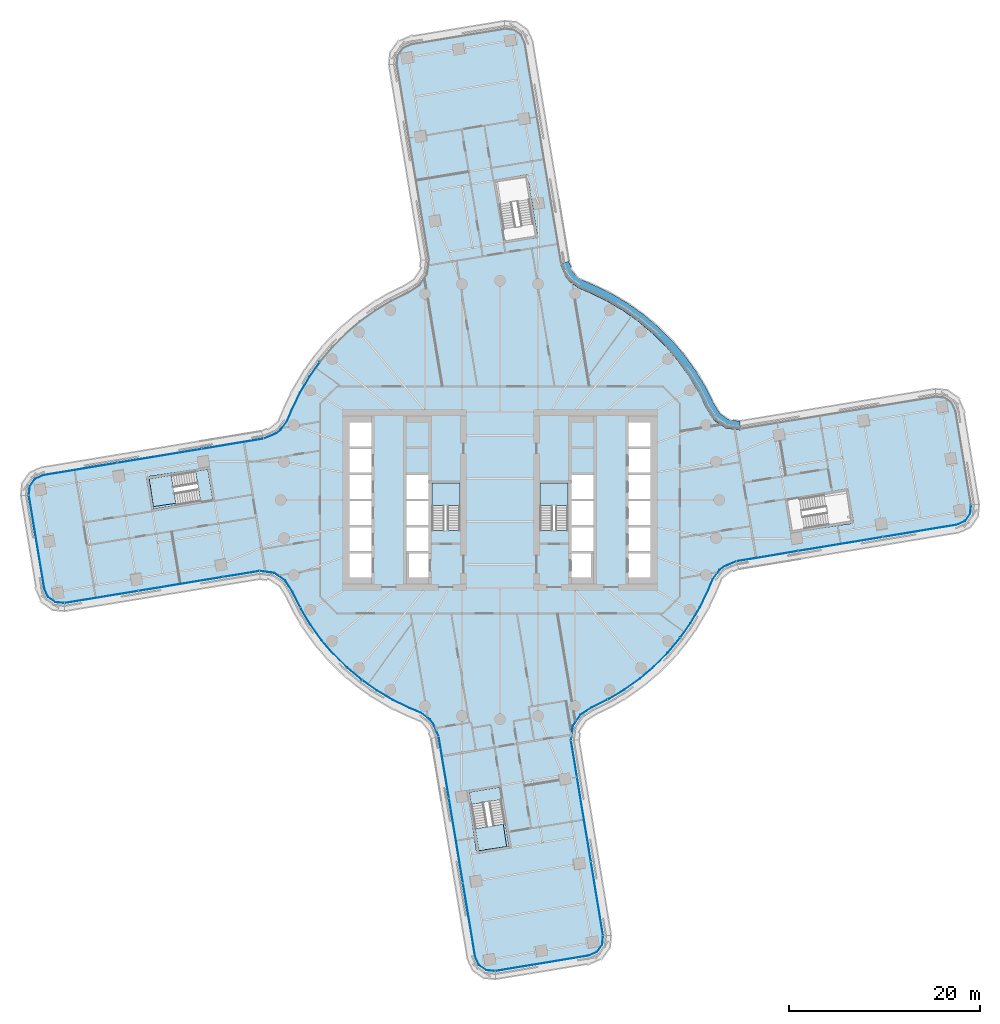
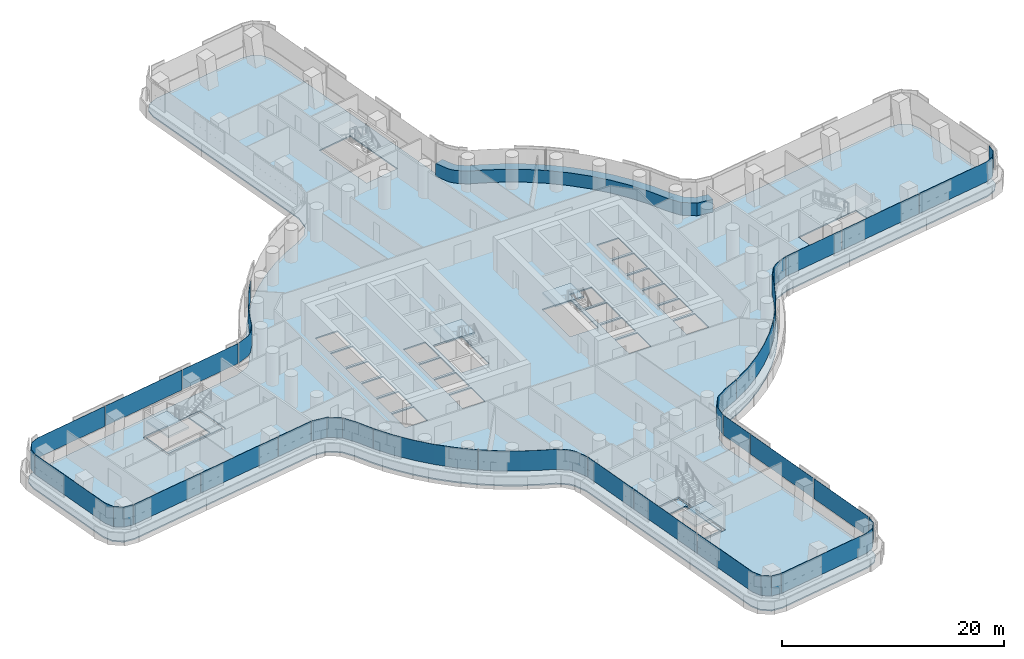
# One storey, part 18 of 32: 24 plates, 7 slabs, 1 member, 15 elements without a shape of their own.
"""IFC4 building model written with IfcOpenShell, lengths in metres."""

from ifc_helpers import new_model, si_unit, direction, frame, origin, place, context, subcontext, project, spatial, polyline, outline, extrude, material, layer, layer_set, type_object, element, aggregate, save


model = new_model("IFC4")

# Units and contexts
model_context = context("Model", 3, precision=1e-05, world=origin(), true_north=direction((0.0, 1.0)))
body_context = subcontext(model_context, "Body", "Model", "MODEL_VIEW")
ifc_project = project(units=[si_unit("LENGTHUNIT", "METRE"), si_unit("AREAUNIT", "SQUARE_METRE"), si_unit("VOLUMEUNIT", "CUBIC_METRE"), si_unit("PLANEANGLEUNIT", "RADIAN"), si_unit("MASSUNIT", "GRAM", prefix="KILO")], contexts=[model_context])

# Site, building, storey
site_placement = place(None, origin())
site = spatial("IfcSite", under=ifc_project, at=site_placement, CompositionType="ELEMENT")
building_placement = place(site_placement, origin())
building = spatial("IfcBuilding", under=site, at=building_placement, Name="Tamarind Cross Interchange Tower", CompositionType="ELEMENT")
storey_placement = place(building_placement, frame((0.0, 0.0, 67.75)))
storey = spatial("IfcBuildingStorey", under=building, at=storey_placement, Name="L15", CompositionType="ELEMENT", Elevation=67.75)

# Curtain wall, member
ifc_material_1 = material(Name="Aluminium 6063-T6", Category="aluminium")
ifc_layer_1 = layer(ifc_material_1, 0.159912109375)
ifc_layer_set_1 = layer_set([ifc_layer_1], Name="Aluminium 6063-T6")
curtain_wall_type = type_object("IfcCurtainWallType", Name="Office curtain wall, 9.0 m bays", PredefinedType="NOTDEFINED", material=ifc_layer_set_1)
curtain_wall_1_placement = place(storey_placement, origin())
curtain_wall_1 = element("IfcCurtainWall", 1, at=curtain_wall_1_placement, inside=storey, type_object=curtain_wall_type, Name="CWS-L15-14", PredefinedType="NOTDEFINED")
ifc_material_2 = material(Name="Aluminium and insulated spandrel panel", Category="aluminium")
member_type = type_object("IfcMemberType", Name="Floor-edge blade transom", PredefinedType="USERDEFINED", material=ifc_material_2)
member_placement = place(storey_placement, origin())
member = element("IfcMember", 2, at=member_placement, type_object=member_type, Name="CWT-L15-14", ObjectType="TRANSOM", PredefinedType="USERDEFINED", context=body_context, shape_type="SweptSolid", body=[
    extrude(outline(polyline([(25.204345703125, 7.347900390625), (23.6572265625, 7.553955078125), (22.442138671875, 8.3720703125), (21.67138671875, 9.586181640625), (20.791015625, 11.367431640625), (19.78125, 13.045654296875), (18.636474609375, 14.634521484375), (17.3642578125, 16.12353515625), (15.973388671875, 17.50244140625), (14.4736328125, 18.76171875), (12.874755859375, 19.892822265625), (11.188232421875, 20.88818359375), (9.420654296875, 21.74267578125), (8.26025390625, 22.23193359375), (7.275634765625, 22.95068359375), (6.907470703125, 23.40478515625), (6.3330078125, 24.766845703125), (7.20361328125, 25.0185546875), (7.68701171875, 23.872314453125), (7.901123046875, 23.608642578125), (8.706298828125, 23.0205078125), (9.791748046875, 22.56298828125), (11.613525390625, 21.68212890625), (13.3642578125, 20.64892578125), (15.023681640625, 19.474853515625), (16.580810546875, 18.167724609375), (18.0244140625, 16.736572265625), (19.344970703125, 15.19091796875), (20.533203125, 13.54150390625), (21.581298828125, 11.799560546875), (22.456787109375, 10.028076171875), (23.100830078125, 9.013427734375), (23.98486328125, 8.418212890625), (25.1904296875, 8.2578125), (25.204345703125, 7.347900390625)])), origin(), (0.0, 0.0, 1.0), 1.39990234375),
])
aggregate(curtain_wall_1, [member])

# Slabs
ifc_material_3 = material(Name="Concrete C35", Category="concrete")
ifc_layer_2 = layer(ifc_material_3, 0.139892578125)
ifc_layer_set_2 = layer_set([ifc_layer_2], Name="Concrete C35")
slab_type_1 = type_object("IfcSlabType", Name="Composite slab 140 Concrete C35", PredefinedType="FLOOR", material=ifc_layer_set_2)
slab_1_placement = place(storey_placement, frame((0.0, 0.0, -0.139892578125)))
element("IfcSlab", 3, at=slab_1_placement, inside=storey, type_object=slab_type_1, Name="Floor slab L15", PredefinedType="FLOOR", context=body_context, shape_type="SweptSolid", body=[
    extrude(outline(polyline([(7.16748046875, 23.560546875), (6.623291015625, 24.850830078125), (2.795166015625, 47.9658203125), (2.367431640625, 48.90869140625), (1.525634765625, 49.51123046875), (0.495361328125, 49.6123046875), (-9.370361328125, 47.978515625), (-10.31298828125, 47.55078125), (-10.915771484375, 46.708984375), (-11.0166015625, 45.6787109375), (-7.651123046875, 25.19970703125), (-7.842041015625, 23.766357421875), (-8.585693359375, 22.66162109375), (-9.7333984375, 21.93310546875), (-11.511474609375, 21.054443359375), (-13.2109375, 20.031982421875), (-14.820068359375, 18.87255859375), (-16.327880859375, 17.584228515625), (-17.72412109375, 16.17578125), (-18.99951171875, 14.656982421875), (-20.14501953125, 13.0380859375), (-21.15283203125, 11.329833984375), (-22.01611328125, 9.54443359375), (-22.49462890625, 8.408935546875), (-23.169921875, 7.484130859375), (-23.560546875, 7.16748046875), (-24.850830078125, 6.623291015625), (-47.9658203125, 2.795166015625), (-48.90869140625, 2.367431640625), (-49.51123046875, 1.525634765625), (-49.6123046875, 0.495361328125), (-47.978515625, -9.370361328125), (-47.55078125, -10.31298828125), (-46.708984375, -10.915771484375), (-45.6787109375, -11.0166015625), (-25.19970703125, -7.651123046875), (-23.766357421875, -7.842041015625), (-22.66162109375, -8.585693359375), (-21.93310546875, -9.7333984375), (-21.054443359375, -11.511474609375), (-20.031982421875, -13.2109375), (-18.87255859375, -14.820068359375), (-17.584228515625, -16.327880859375), (-16.17578125, -17.72412109375), (-14.656982421875, -18.99951171875), (-13.0380859375, -20.14501953125), (-11.329833984375, -21.15283203125), (-9.54443359375, -22.01611328125), (-8.408935546875, -22.49462890625), (-7.484130859375, -23.169921875), (-7.16748046875, -23.560546875), (-6.623291015625, -24.850830078125), (-2.795166015625, -47.9658203125), (-2.367431640625, -48.90869140625), (-1.525634765625, -49.51123046875), (-0.495361328125, -49.6123046875), (9.370361328125, -47.978515625), (10.31298828125, -47.55078125), (10.915771484375, -46.708984375), (11.0166015625, -45.6787109375), (7.651123046875, -25.19970703125), (7.842041015625, -23.766357421875), (8.585693359375, -22.66162109375), (9.7333984375, -21.93310546875), (11.511474609375, -21.054443359375), (13.2109375, -20.031982421875), (14.820068359375, -18.87255859375), (16.327880859375, -17.584228515625), (17.72412109375, -16.17578125), (18.99951171875, -14.656982421875), (20.14501953125, -13.0380859375), (21.15283203125, -11.329833984375), (22.01611328125, -9.54443359375), (22.49462890625, -8.408935546875), (23.169921875, -7.484130859375), (23.560546875, -7.16748046875), (24.850830078125, -6.623291015625), (47.9658203125, -2.795166015625), (48.90869140625, -2.367431640625), (49.51123046875, -1.525634765625), (49.6123046875, -0.495361328125), (47.978515625, 9.370361328125), (47.55078125, 10.31298828125), (46.708984375, 10.915771484375), (45.6787109375, 11.0166015625), (25.19970703125, 7.651123046875), (23.766357421875, 7.842041015625), (22.66162109375, 8.585693359375), (21.93310546875, 9.7333984375), (21.054443359375, 11.511474609375), (20.031982421875, 13.2109375), (18.87255859375, 14.820068359375), (17.584228515625, 16.327880859375), (16.17578125, 17.72412109375), (14.656982421875, 18.99951171875), (13.0380859375, 20.14501953125), (11.329833984375, 21.15283203125), (9.54443359375, 22.01611328125), (8.408935546875, 22.49462890625), (7.484130859375, 23.169921875), (7.16748046875, 23.560546875)]), holes=[polyline([(-13.5, -8.125), (-15.800048828125, -8.125), (-15.800048828125, -5.625), (-13.5, -5.625), (-13.5, -8.125)]), polyline([(-13.5, -5.375), (-15.800048828125, -5.375), (-15.800048828125, -2.875), (-13.5, -2.875), (-13.5, -5.375)]), polyline([(-7.5, -5.375), (-9.800048828125, -5.375), (-9.800048828125, -2.875), (-7.5, -2.875), (-7.5, -5.375)]), polyline([(-15.800048828125, -2.625), (-15.800048828125, -0.125), (-13.5, -0.125), (-13.5, -2.625), (-15.800048828125, -2.625)]), polyline([(-9.800048828125, -2.625), (-9.800048828125, -0.125), (-7.5, -0.125), (-7.5, -2.625), (-9.800048828125, -2.625)]), polyline([(-36.501220703125, -1.18505859375), (-36.533935546875, -0.98779296875), (-37.056640625, 2.169189453125), (-37.08935546875, 2.366455078125), (-36.80810546875, 2.4130859375), (-36.81689453125, 2.472412109375), (-33.56201171875, 2.95068359375), (-30.4794921875, 3.461181640625), (-30.44677734375, 3.263916015625), (-29.923828125, 0.106689453125), (-29.89111328125, -0.090576171875), (-36.501220703125, -1.18505859375)]), polyline([(-15.800048828125, 0.125), (-15.800048828125, 2.625), (-13.5, 2.625), (-13.5, 0.125), (-15.800048828125, 0.125)]), polyline([(-9.800048828125, 0.125), (-9.800048828125, 2.625), (-7.5, 2.625), (-7.5, 0.125), (-9.800048828125, 0.125)]), polyline([(-13.5, 2.875), (-15.800048828125, 2.875), (-15.800048828125, 5.375), (-13.5, 5.375), (-13.5, 2.875)]), polyline([(-15.800048828125, 5.625), (-15.800048828125, 8.125), (-13.5, 8.125), (-13.5, 5.625), (-15.800048828125, 5.625)]), polyline([(1.18505859375, -36.501220703125), (0.98779296875, -36.533935546875), (-2.169189453125, -37.056640625), (-2.366455078125, -37.08935546875), (-2.4130859375, -36.80810546875), (-2.472412109375, -36.81689453125), (-2.95068359375, -33.56201171875), (-3.461181640625, -30.4794921875), (-3.263916015625, -30.44677734375), (-0.106689453125, -29.923828125), (0.090576171875, -29.89111328125), (1.18505859375, -36.501220703125)]), polyline([(-9.800048828125, -8.125), (-9.800048828125, -5.625), (-7.5, -5.625), (-7.5, -8.125), (-9.800048828125, -8.125)]), polyline([(9.800048828125, -2.875), (9.800048828125, -5.375), (7.5, -5.375), (7.5, -2.875), (9.800048828125, -2.875)]), polyline([(-4.199951171875, 1.800048828125), (-4.199951171875, -3.18798828125), (-7.14990234375, -3.18798828125), (-7.14990234375, 1.800048828125), (-4.199951171875, 1.800048828125)]), polyline([(7.14990234375, 1.800048828125), (7.14990234375, -3.18798828125), (4.199951171875, -3.18798828125), (4.199951171875, 1.800048828125), (7.14990234375, 1.800048828125)]), polyline([(3.951416015625, 27.519775390625), (3.75390625, 27.487060546875), (0.596923828125, 26.964111328125), (0.399658203125, 26.931640625), (-0.695068359375, 33.54150390625), (-0.497802734375, 33.57421875), (2.6591796875, 34.096923828125), (2.856689453125, 34.129638671875), (2.9033203125, 33.847900390625), (2.908447265625, 33.8486328125), (2.95068359375, 33.56201171875), (3.951416015625, 27.519775390625)]), polyline([(7.5, -5.625), (9.800048828125, -5.625), (9.800048828125, -8.125), (7.5, -8.125), (7.5, -5.625)]), polyline([(15.800048828125, -5.625), (15.800048828125, -8.125), (13.5, -8.125), (13.5, -5.625), (15.800048828125, -5.625)]), polyline([(15.800048828125, -2.875), (15.800048828125, -5.375), (13.5, -5.375), (13.5, -2.875), (15.800048828125, -2.875)]), polyline([(36.501220703125, 1.18505859375), (36.533935546875, 0.98779296875), (37.056640625, -2.169189453125), (37.08935546875, -2.366455078125), (36.80810546875, -2.4130859375), (36.81689453125, -2.472412109375), (33.56201171875, -2.95068359375), (30.4794921875, -3.461181640625), (30.44677734375, -3.263916015625), (29.923828125, -0.106689453125), (29.89111328125, 0.090576171875), (36.501220703125, 1.18505859375)]), polyline([(7.5, -0.125), (9.800048828125, -0.125), (9.800048828125, -2.625), (7.5, -2.625), (7.5, -0.125)]), polyline([(15.800048828125, -0.125), (15.800048828125, -2.625), (13.5, -2.625), (13.5, -0.125), (15.800048828125, -0.125)]), polyline([(9.800048828125, 2.625), (9.800048828125, 0.125), (7.5, 0.125), (7.5, 2.625), (9.800048828125, 2.625)]), polyline([(13.5, 2.625), (15.800048828125, 2.625), (15.800048828125, 0.125), (13.5, 0.125), (13.5, 2.625)]), polyline([(15.800048828125, 5.375), (15.800048828125, 2.875), (13.5, 2.875), (13.5, 5.375), (15.800048828125, 5.375)]), polyline([(15.800048828125, 8.125), (15.800048828125, 5.625), (13.5, 5.625), (13.5, 8.125), (15.800048828125, 8.125)])]), origin(), (0.0, 0.0, 1.0), 0.139892578125),
])
slab_2_placement = place(storey_placement, frame((0.0, 0.0, -0.139892578125)))
element("IfcSlab", 4, at=slab_2_placement, inside=storey, type_object=slab_type_1, Name="Floor slab L15", PredefinedType="FLOOR", context=body_context, shape_type="SweptSolid", body=[
    extrude(outline(polyline([(-36.3515625, -0.693603515625), (-36.779052734375, 2.215087890625), (-36.859375, 2.201904296875), (-36.336669921875, -0.955078125), (-30.12109375, 0.07421875), (-30.64404296875, 3.231201171875), (-31.9384765625, 3.016845703125), (-31.443359375, 0.027587890625), (-36.3515625, -0.693603515625)])), origin(), (0.0, 0.0, 1.0), 0.139892578125),
])
slab_3_placement = place(storey_placement, frame((0.0, 0.0, -0.139892578125)))
element("IfcSlab", 5, at=slab_3_placement, inside=storey, type_object=slab_type_1, Name="Floor slab L15", PredefinedType="FLOOR", context=body_context, shape_type="SweptSolid", body=[
    extrude(outline(polyline([(-0.07421875, -30.12109375), (-3.231201171875, -30.64404296875), (-3.016845703125, -31.9384765625), (-0.027587890625, -31.443359375), (0.693603515625, -36.3515625), (-2.215087890625, -36.779052734375), (-2.201904296875, -36.859375), (0.955078125, -36.336669921875), (-0.07421875, -30.12109375)])), origin(), (0.0, 0.0, 1.0), 0.139892578125),
])

# Stair, slab
ifc_material_4 = material(Name="Exit stair")
stair_type = type_object("IfcStairType", Name="Exit stair", PredefinedType="HALF_TURN_STAIR", material=ifc_material_4)
stair_1_placement = place(storey_placement, origin())
stair_1 = element("IfcStair", 6, at=stair_1_placement, inside=storey, type_object=stair_type, Name="L15 exit stair ST1", PredefinedType="HALF_TURN_STAIR")
ifc_material_5 = material(Name="Concrete C40", Category="concrete")
ifc_layer_3 = layer(ifc_material_5, 0.199951171875)
ifc_layer_set_3 = layer_set([ifc_layer_3], Name="Concrete C40")
slab_type_2 = type_object("IfcSlabType", Name="Stair landing", PredefinedType="LANDING", material=ifc_layer_set_3)
slab_4_placement = place(storey_placement, frame((0.0, 0.0, 1.675048828125)))
slab_4 = element("IfcSlab", 7, at=slab_4_placement, type_object=slab_type_2, Name="ST1 landing 1", PredefinedType="LANDING", context=body_context, shape_type="SweptSolid", body=[
    extrude(outline(polyline([(-4.199951171875, -0.60009765625), (-4.199951171875, 1.800048828125), (-7.14990234375, 1.800048828125), (-7.14990234375, -0.60009765625), (-4.199951171875, -0.60009765625)])), origin(), (0.0, 0.0, 1.0), 0.199951171875),
])
aggregate(stair_1, [slab_4])

stair_2_placement = place(storey_placement, origin())
stair_2 = element("IfcStair", 8, at=stair_2_placement, inside=storey, type_object=stair_type, Name="L15 exit stair ST2", PredefinedType="HALF_TURN_STAIR")
slab_5_placement = place(storey_placement, frame((0.0, 0.0, 1.675048828125)))
slab_5 = element("IfcSlab", 9, at=slab_5_placement, type_object=slab_type_2, Name="ST2 landing 1", PredefinedType="LANDING", context=body_context, shape_type="SweptSolid", body=[
    extrude(outline(polyline([(7.14990234375, -0.60009765625), (7.14990234375, 1.800048828125), (4.199951171875, 1.800048828125), (4.199951171875, -0.60009765625), (7.14990234375, -0.60009765625)])), origin(), (0.0, 0.0, 1.0), 0.199951171875),
])
aggregate(stair_2, [slab_5])

stair_3_placement = place(storey_placement, origin())
stair_3 = element("IfcStair", 10, at=stair_3_placement, inside=storey, type_object=stair_type, Name="L15 exit stair ST5", PredefinedType="HALF_TURN_STAIR")
slab_6_placement = place(storey_placement, frame((0.0, 0.0, 1.675048828125)))
slab_6 = element("IfcSlab", 11, at=slab_6_placement, type_object=slab_type_2, Name="ST5 landing 1", PredefinedType="LANDING", context=body_context, shape_type="SweptSolid", body=[
    extrude(outline(polyline([(-34.479736328125, 2.595947265625), (-36.859375, 2.201904296875), (-36.336669921875, -0.955078125), (-33.95703125, -0.56103515625), (-34.479736328125, 2.595947265625)])), origin(), (0.0, 0.0, 1.0), 0.199951171875),
])
aggregate(stair_3, [slab_6])

stair_4_placement = place(storey_placement, origin())
stair_4 = element("IfcStair", 12, at=stair_4_placement, inside=storey, type_object=stair_type, Name="L15 exit stair ST6", PredefinedType="HALF_TURN_STAIR")
slab_7_placement = place(storey_placement, frame((0.0, 0.0, 1.675048828125)))
slab_7 = element("IfcSlab", 13, at=slab_7_placement, type_object=slab_type_2, Name="ST6 landing 1", PredefinedType="LANDING", context=body_context, shape_type="SweptSolid", body=[
    extrude(outline(polyline([(-2.595947265625, -34.479736328125), (-2.201904296875, -36.859375), (0.955078125, -36.336669921875), (0.56103515625, -33.95703125), (-2.595947265625, -34.479736328125)])), origin(), (0.0, 0.0, 1.0), 0.199951171875),
])
aggregate(stair_4, [slab_7])

# Curtain wall, plate
curtain_wall_2_placement = place(storey_placement, origin())
curtain_wall_2 = element("IfcCurtainWall", 14, at=curtain_wall_2_placement, inside=storey, type_object=curtain_wall_type, Name="CWS-L15-02", PredefinedType="NOTDEFINED")
ifc_material_6 = material(Name="Laminated low-e glass 8+1.52+8", Category="glass")
ifc_layer_4 = layer(ifc_material_6, 0.028076171875)
ifc_layer_set_4 = layer_set([ifc_layer_4], Name="Laminated low-e glass 8+1.52+8")
plate_type = type_object("IfcPlateType", Name="Vision panel CW1", PredefinedType="CURTAIN_PANEL", material=ifc_layer_set_4)
plate_1_placement = place(storey_placement, frame((0.0, 0.0, 1.39990234375)))
plate_1 = element("IfcPlate", 15, at=plate_1_placement, type_object=plate_type, Name="CWP-L15-02-02", PredefinedType="CURTAIN_PANEL", context=body_context, shape_type="SweptSolid", body=[
    extrude(outline(polyline([(-18.911376953125, 14.410888671875), (-19.965087890625, 12.921630859375), (-20.9638671875, 11.228759765625), (-21.821044921875, 9.456298828125), (-22.30712890625, 8.302978515625), (-23.013671875, 7.33544921875), (-23.449462890625, 6.98193359375), (-24.76171875, 6.428466796875), (-24.772705078125, 6.454345703125), (-23.4638671875, 7.00634765625), (-23.0341796875, 7.35498046875), (-22.331787109375, 8.316650390625), (-21.8466796875, 9.4677734375), (-20.98876953125, 11.241943359375), (-19.988525390625, 12.936767578125), (-18.934326171875, 14.427001953125), (-18.911376953125, 14.410888671875)])), origin(), (0.0, 0.0, 1.0), 2.210205078125),
])
aggregate(curtain_wall_2, [plate_1])

# Curtain wall, plates
curtain_wall_3_placement = place(storey_placement, origin())
curtain_wall_3 = element("IfcCurtainWall", 16, at=curtain_wall_3_placement, inside=storey, type_object=curtain_wall_type, Name="CWS-L15-03", PredefinedType="NOTDEFINED")
plate_2_placement = place(storey_placement, frame((0.0, 0.0, 1.39990234375)))
plate_2 = element("IfcPlate", 17, at=plate_2_placement, type_object=plate_type, Name="CWP-L15-03-00", PredefinedType="CURTAIN_PANEL", context=body_context, shape_type="SweptSolid", body=[
    extrude(outline(polyline([(-24.822021484375, 6.4111328125), (-31.243408203125, 5.34765625), (-31.248046875, 5.375244140625), (-24.82666015625, 6.438720703125), (-24.822021484375, 6.4111328125)])), origin(), (0.0, 0.0, 1.0), 2.210205078125),
])
plate_3_placement = place(storey_placement, frame((0.0, 0.0, 1.39990234375)))
plate_3 = element("IfcPlate", 18, at=plate_3_placement, type_object=plate_type, Name="CWP-L15-03-01", PredefinedType="CURTAIN_PANEL", context=body_context, shape_type="SweptSolid", body=[
    extrude(outline(polyline([(-31.302734375, 5.337890625), (-40.12158203125, 3.87744140625), (-40.126220703125, 3.905029296875), (-31.307373046875, 5.365478515625), (-31.302734375, 5.337890625)])), origin(), (0.0, 0.0, 1.0), 2.210205078125),
])
plate_4_placement = place(storey_placement, frame((0.0, 0.0, 1.39990234375)))
plate_4 = element("IfcPlate", 19, at=plate_4_placement, type_object=plate_type, Name="CWP-L15-03-02", PredefinedType="CURTAIN_PANEL", context=body_context, shape_type="SweptSolid", body=[
    extrude(outline(polyline([(-40.1806640625, 3.86767578125), (-47.903076171875, 2.588623046875), (-48.76806640625, 2.1962890625), (-49.303955078125, 1.44775390625), (-49.393798828125, 0.530517578125), (-49.421630859375, 0.533203125), (-49.3310546875, 1.4580078125), (-48.786376953125, 2.21875), (-47.911376953125, 2.61572265625), (-40.185302734375, 3.895263671875), (-40.1806640625, 3.86767578125)])), origin(), (0.0, 0.0, 1.0), 2.210205078125),
])
aggregate(curtain_wall_3, [plate_2, plate_3, plate_4])

# Curtain wall, plate
curtain_wall_4_placement = place(storey_placement, origin())
curtain_wall_4 = element("IfcCurtainWall", 20, at=curtain_wall_4_placement, inside=storey, type_object=curtain_wall_type, Name="CWS-L15-04", PredefinedType="NOTDEFINED")
plate_5_placement = place(storey_placement, frame((0.0, 0.0, 1.39990234375)))
plate_5 = element("IfcPlate", 21, at=plate_5_placement, type_object=plate_type, Name="CWP-L15-04-00", PredefinedType="CURTAIN_PANEL", context=body_context, shape_type="SweptSolid", body=[
    extrude(outline(polyline([(-49.391845703125, 0.474609375), (-47.77197265625, -9.3076171875), (-47.379638671875, -10.17236328125), (-46.630859375, -10.708251953125), (-45.713623046875, -10.798095703125), (-45.71630859375, -10.826171875), (-46.64111328125, -10.7353515625), (-47.40185546875, -10.19091796875), (-47.799072265625, -9.315673828125), (-49.419677734375, 0.47021484375), (-49.391845703125, 0.474609375)])), origin(), (0.0, 0.0, 1.0), 2.210205078125),
])
aggregate(curtain_wall_4, [plate_5])

# Curtain wall, plates
curtain_wall_5_placement = place(storey_placement, origin())
curtain_wall_5 = element("IfcCurtainWall", 22, at=curtain_wall_5_placement, inside=storey, type_object=curtain_wall_type, Name="CWS-L15-05", PredefinedType="NOTDEFINED")
plate_6_placement = place(storey_placement, frame((0.0, 0.0, 1.39990234375)))
plate_6 = element("IfcPlate", 23, at=plate_6_placement, type_object=plate_type, Name="CWP-L15-05-00", PredefinedType="CURTAIN_PANEL", context=body_context, shape_type="SweptSolid", body=[
    extrude(outline(polyline([(-45.65771484375, -10.79638671875), (-37.95947265625, -9.53125), (-37.954833984375, -9.558837890625), (-45.6533203125, -10.823974609375), (-45.65771484375, -10.79638671875)])), origin(), (0.0, 0.0, 1.0), 2.210205078125),
])
plate_7_placement = place(storey_placement, frame((0.0, 0.0, 1.39990234375)))
plate_7 = element("IfcPlate", 24, at=plate_7_placement, type_object=plate_type, Name="CWP-L15-05-01", PredefinedType="CURTAIN_PANEL", context=body_context, shape_type="SweptSolid", body=[
    extrude(outline(polyline([(-37.900146484375, -9.521484375), (-29.0771484375, -8.071533203125), (-29.072509765625, -8.09912109375), (-37.895751953125, -9.549072265625), (-37.900146484375, -9.521484375)])), origin(), (0.0, 0.0, 1.0), 2.210205078125),
])
plate_8_placement = place(storey_placement, frame((0.0, 0.0, 1.39990234375)))
plate_8 = element("IfcPlate", 25, at=plate_8_placement, type_object=plate_type, Name="CWP-L15-05-02", PredefinedType="CURTAIN_PANEL", context=body_context, shape_type="SweptSolid", body=[
    extrude(outline(polyline([(-29.017822265625, -8.061767578125), (-25.234619140625, -7.440185546875), (-25.230224609375, -7.4677734375), (-29.01318359375, -8.08935546875), (-29.017822265625, -8.061767578125)])), origin(), (0.0, 0.0, 1.0), 2.210205078125),
])
aggregate(curtain_wall_5, [plate_6, plate_7, plate_8])

curtain_wall_6_placement = place(storey_placement, origin())
curtain_wall_6 = element("IfcCurtainWall", 26, at=curtain_wall_6_placement, inside=storey, type_object=curtain_wall_type, Name="CWS-L15-06", PredefinedType="NOTDEFINED")
plate_9_placement = place(storey_placement, frame((0.0, 0.0, 1.39990234375)))
plate_9 = element("IfcPlate", 27, at=plate_9_placement, type_object=plate_type, Name="CWP-L15-06-00", PredefinedType="CURTAIN_PANEL", context=body_context, shape_type="SweptSolid", body=[
    extrude(outline(polyline([(-25.171142578125, -7.439208984375), (-23.6884765625, -7.636474609375), (-22.5048828125, -8.433349609375), (-21.746337890625, -9.62841796875), (-20.944091796875, -11.251953125), (-20.96923828125, -11.264404296875), (-21.770751953125, -9.642333984375), (-22.525390625, -8.453125), (-23.69873046875, -7.663330078125), (-25.175048828125, -7.466796875), (-25.171142578125, -7.439208984375)])), origin(), (0.0, 0.0, 1.0), 2.210205078125),
])
plate_10_placement = place(storey_placement, frame((0.0, 0.0, 1.39990234375)))
plate_10 = element("IfcPlate", 28, at=plate_10_placement, type_object=plate_type, Name="CWP-L15-06-01", PredefinedType="CURTAIN_PANEL", context=body_context, shape_type="SweptSolid", body=[
    extrude(outline(polyline([(-20.91748046875, -11.3056640625), (-20.866455078125, -11.40869140625), (-19.85302734375, -13.093017578125), (-18.7041015625, -14.687744140625), (-17.42724609375, -16.18212890625), (-16.031494140625, -17.56591796875), (-14.526123046875, -18.829833984375), (-14.4599609375, -18.876708984375), (-14.47607421875, -18.899658203125), (-14.543212890625, -18.85205078125), (-16.05029296875, -17.586669921875), (-17.44775390625, -16.201171875), (-18.72607421875, -14.705078125), (-19.87646484375, -13.1083984375), (-20.89111328125, -11.422119140625), (-20.942626953125, -11.318115234375), (-20.91748046875, -11.3056640625)])), origin(), (0.0, 0.0, 1.0), 2.210205078125),
])
plate_11_placement = place(storey_placement, frame((0.0, 0.0, 1.39990234375)))
plate_11 = element("IfcPlate", 29, at=plate_11_placement, type_object=plate_type, Name="CWP-L15-06-02", PredefinedType="CURTAIN_PANEL", context=body_context, shape_type="SweptSolid", body=[
    extrude(outline(polyline([(-14.410888671875, -18.911376953125), (-12.921630859375, -19.965087890625), (-11.228759765625, -20.9638671875), (-9.456298828125, -21.821044921875), (-8.302978515625, -22.30712890625), (-7.33544921875, -23.013671875), (-6.98193359375, -23.449462890625), (-6.428466796875, -24.76171875), (-6.454345703125, -24.772705078125), (-7.00634765625, -23.4638671875), (-7.35498046875, -23.0341796875), (-8.316650390625, -22.331787109375), (-9.4677734375, -21.8466796875), (-11.241943359375, -20.98876953125), (-12.936767578125, -19.988525390625), (-14.427001953125, -18.934326171875), (-14.410888671875, -18.911376953125)])), origin(), (0.0, 0.0, 1.0), 2.210205078125),
])
aggregate(curtain_wall_6, [plate_9, plate_10, plate_11])

curtain_wall_7_placement = place(storey_placement, origin())
curtain_wall_7 = element("IfcCurtainWall", 30, at=curtain_wall_7_placement, inside=storey, type_object=curtain_wall_type, Name="CWS-L15-07", PredefinedType="NOTDEFINED")
plate_12_placement = place(storey_placement, frame((0.0, 0.0, 1.39990234375)))
plate_12 = element("IfcPlate", 31, at=plate_12_placement, type_object=plate_type, Name="CWP-L15-07-00", PredefinedType="CURTAIN_PANEL", context=body_context, shape_type="SweptSolid", body=[
    extrude(outline(polyline([(-6.4111328125, -24.822021484375), (-5.34765625, -31.243408203125), (-5.375244140625, -31.248046875), (-6.438720703125, -24.82666015625), (-6.4111328125, -24.822021484375)])), origin(), (0.0, 0.0, 1.0), 2.210205078125),
])
plate_13_placement = place(storey_placement, frame((0.0, 0.0, 1.39990234375)))
plate_13 = element("IfcPlate", 32, at=plate_13_placement, type_object=plate_type, Name="CWP-L15-07-01", PredefinedType="CURTAIN_PANEL", context=body_context, shape_type="SweptSolid", body=[
    extrude(outline(polyline([(-5.337890625, -31.302734375), (-3.87744140625, -40.12158203125), (-3.905029296875, -40.126220703125), (-5.365478515625, -31.307373046875), (-5.337890625, -31.302734375)])), origin(), (0.0, 0.0, 1.0), 2.210205078125),
])
plate_14_placement = place(storey_placement, frame((0.0, 0.0, 1.39990234375)))
plate_14 = element("IfcPlate", 33, at=plate_14_placement, type_object=plate_type, Name="CWP-L15-07-02", PredefinedType="CURTAIN_PANEL", context=body_context, shape_type="SweptSolid", body=[
    extrude(outline(polyline([(-3.86767578125, -40.1806640625), (-2.588623046875, -47.903076171875), (-2.1962890625, -48.76806640625), (-1.44775390625, -49.303955078125), (-0.530517578125, -49.393798828125), (-0.533203125, -49.421630859375), (-1.4580078125, -49.3310546875), (-2.21875, -48.786376953125), (-2.61572265625, -47.911376953125), (-3.895263671875, -40.185302734375), (-3.86767578125, -40.1806640625)])), origin(), (0.0, 0.0, 1.0), 2.210205078125),
])
aggregate(curtain_wall_7, [plate_12, plate_13, plate_14])

# Curtain wall, plate
curtain_wall_8_placement = place(storey_placement, origin())
curtain_wall_8 = element("IfcCurtainWall", 34, at=curtain_wall_8_placement, inside=storey, type_object=curtain_wall_type, Name="CWS-L15-08", PredefinedType="NOTDEFINED")
plate_15_placement = place(storey_placement, frame((0.0, 0.0, 1.39990234375)))
plate_15 = element("IfcPlate", 35, at=plate_15_placement, type_object=plate_type, Name="CWP-L15-08-00", PredefinedType="CURTAIN_PANEL", context=body_context, shape_type="SweptSolid", body=[
    extrude(outline(polyline([(-0.474609375, -49.391845703125), (9.3076171875, -47.77197265625), (10.17236328125, -47.379638671875), (10.708251953125, -46.630859375), (10.798095703125, -45.713623046875), (10.826171875, -45.71630859375), (10.7353515625, -46.64111328125), (10.19091796875, -47.40185546875), (9.315673828125, -47.799072265625), (-0.47021484375, -49.419677734375), (-0.474609375, -49.391845703125)])), origin(), (0.0, 0.0, 1.0), 2.210205078125),
])
aggregate(curtain_wall_8, [plate_15])

# Curtain wall, plates
curtain_wall_9_placement = place(storey_placement, origin())
curtain_wall_9 = element("IfcCurtainWall", 36, at=curtain_wall_9_placement, inside=storey, type_object=curtain_wall_type, Name="CWS-L15-09", PredefinedType="NOTDEFINED")
plate_16_placement = place(storey_placement, frame((0.0, 0.0, 1.39990234375)))
plate_16 = element("IfcPlate", 37, at=plate_16_placement, type_object=plate_type, Name="CWP-L15-09-00", PredefinedType="CURTAIN_PANEL", context=body_context, shape_type="SweptSolid", body=[
    extrude(outline(polyline([(10.79638671875, -45.65771484375), (9.53125, -37.95947265625), (9.558837890625, -37.954833984375), (10.823974609375, -45.6533203125), (10.79638671875, -45.65771484375)])), origin(), (0.0, 0.0, 1.0), 2.210205078125),
])
plate_17_placement = place(storey_placement, frame((0.0, 0.0, 1.39990234375)))
plate_17 = element("IfcPlate", 38, at=plate_17_placement, type_object=plate_type, Name="CWP-L15-09-01", PredefinedType="CURTAIN_PANEL", context=body_context, shape_type="SweptSolid", body=[
    extrude(outline(polyline([(9.521484375, -37.900146484375), (8.071533203125, -29.0771484375), (8.09912109375, -29.072509765625), (9.549072265625, -37.895751953125), (9.521484375, -37.900146484375)])), origin(), (0.0, 0.0, 1.0), 2.210205078125),
])
plate_18_placement = place(storey_placement, frame((0.0, 0.0, 1.39990234375)))
plate_18 = element("IfcPlate", 39, at=plate_18_placement, type_object=plate_type, Name="CWP-L15-09-02", PredefinedType="CURTAIN_PANEL", context=body_context, shape_type="SweptSolid", body=[
    extrude(outline(polyline([(8.061767578125, -29.017822265625), (7.440185546875, -25.234619140625), (7.4677734375, -25.230224609375), (8.08935546875, -29.01318359375), (8.061767578125, -29.017822265625)])), origin(), (0.0, 0.0, 1.0), 2.210205078125),
])
aggregate(curtain_wall_9, [plate_16, plate_17, plate_18])

curtain_wall_10_placement = place(storey_placement, origin())
curtain_wall_10 = element("IfcCurtainWall", 40, at=curtain_wall_10_placement, inside=storey, type_object=curtain_wall_type, Name="CWS-L15-10", PredefinedType="NOTDEFINED")
plate_19_placement = place(storey_placement, frame((0.0, 0.0, 1.39990234375)))
plate_19 = element("IfcPlate", 41, at=plate_19_placement, type_object=plate_type, Name="CWP-L15-10-00", PredefinedType="CURTAIN_PANEL", context=body_context, shape_type="SweptSolid", body=[
    extrude(outline(polyline([(7.439208984375, -25.171142578125), (7.636474609375, -23.6884765625), (8.433349609375, -22.5048828125), (9.62841796875, -21.746337890625), (11.251953125, -20.944091796875), (11.264404296875, -20.96923828125), (9.642333984375, -21.770751953125), (8.453125, -22.525390625), (7.663330078125, -23.69873046875), (7.466796875, -25.175048828125), (7.439208984375, -25.171142578125)])), origin(), (0.0, 0.0, 1.0), 2.210205078125),
])
plate_20_placement = place(storey_placement, frame((0.0, 0.0, 1.39990234375)))
plate_20 = element("IfcPlate", 42, at=plate_20_placement, type_object=plate_type, Name="CWP-L15-10-01", PredefinedType="CURTAIN_PANEL", context=body_context, shape_type="SweptSolid", body=[
    extrude(outline(polyline([(11.3056640625, -20.91748046875), (11.40869140625, -20.866455078125), (13.093017578125, -19.85302734375), (14.687744140625, -18.7041015625), (16.18212890625, -17.42724609375), (17.56591796875, -16.031494140625), (18.829833984375, -14.526123046875), (18.876708984375, -14.4599609375), (18.899658203125, -14.47607421875), (18.85205078125, -14.543212890625), (17.586669921875, -16.05029296875), (16.201171875, -17.44775390625), (14.705078125, -18.72607421875), (13.1083984375, -19.87646484375), (11.422119140625, -20.89111328125), (11.318115234375, -20.942626953125), (11.3056640625, -20.91748046875)])), origin(), (0.0, 0.0, 1.0), 2.210205078125),
])
plate_21_placement = place(storey_placement, frame((0.0, 0.0, 1.39990234375)))
plate_21 = element("IfcPlate", 43, at=plate_21_placement, type_object=plate_type, Name="CWP-L15-10-02", PredefinedType="CURTAIN_PANEL", context=body_context, shape_type="SweptSolid", body=[
    extrude(outline(polyline([(18.911376953125, -14.410888671875), (19.965087890625, -12.921630859375), (20.9638671875, -11.228759765625), (21.821044921875, -9.456298828125), (22.30712890625, -8.302978515625), (23.013671875, -7.33544921875), (23.449462890625, -6.98193359375), (24.76171875, -6.428466796875), (24.772705078125, -6.454345703125), (23.4638671875, -7.00634765625), (23.0341796875, -7.35498046875), (22.331787109375, -8.316650390625), (21.8466796875, -9.4677734375), (20.98876953125, -11.241943359375), (19.988525390625, -12.936767578125), (18.934326171875, -14.427001953125), (18.911376953125, -14.410888671875)])), origin(), (0.0, 0.0, 1.0), 2.210205078125),
])
aggregate(curtain_wall_10, [plate_19, plate_20, plate_21])

curtain_wall_11_placement = place(storey_placement, origin())
curtain_wall_11 = element("IfcCurtainWall", 44, at=curtain_wall_11_placement, inside=storey, type_object=curtain_wall_type, Name="CWS-L15-11", PredefinedType="NOTDEFINED")
plate_22_placement = place(storey_placement, frame((0.0, 0.0, 1.39990234375)))
plate_22 = element("IfcPlate", 45, at=plate_22_placement, type_object=plate_type, Name="CWP-L15-11-00", PredefinedType="CURTAIN_PANEL", context=body_context, shape_type="SweptSolid", body=[
    extrude(outline(polyline([(24.822021484375, -6.4111328125), (31.243408203125, -5.34765625), (31.248046875, -5.375244140625), (24.82666015625, -6.438720703125), (24.822021484375, -6.4111328125)])), origin(), (0.0, 0.0, 1.0), 2.210205078125),
])
plate_23_placement = place(storey_placement, frame((0.0, 0.0, 1.39990234375)))
plate_23 = element("IfcPlate", 46, at=plate_23_placement, type_object=plate_type, Name="CWP-L15-11-01", PredefinedType="CURTAIN_PANEL", context=body_context, shape_type="SweptSolid", body=[
    extrude(outline(polyline([(31.302734375, -5.337890625), (40.12158203125, -3.87744140625), (40.126220703125, -3.905029296875), (31.307373046875, -5.365478515625), (31.302734375, -5.337890625)])), origin(), (0.0, 0.0, 1.0), 2.210205078125),
])
plate_24_placement = place(storey_placement, frame((0.0, 0.0, 1.39990234375)))
plate_24 = element("IfcPlate", 47, at=plate_24_placement, type_object=plate_type, Name="CWP-L15-11-02", PredefinedType="CURTAIN_PANEL", context=body_context, shape_type="SweptSolid", body=[
    extrude(outline(polyline([(40.1806640625, -3.86767578125), (47.903076171875, -2.588623046875), (48.76806640625, -2.1962890625), (49.303955078125, -1.44775390625), (49.393798828125, -0.530517578125), (49.421630859375, -0.533203125), (49.3310546875, -1.4580078125), (48.786376953125, -2.21875), (47.911376953125, -2.61572265625), (40.185302734375, -3.895263671875), (40.1806640625, -3.86767578125)])), origin(), (0.0, 0.0, 1.0), 2.210205078125),
])
aggregate(curtain_wall_11, [plate_22, plate_23, plate_24])

save(model, "model.ifc")
